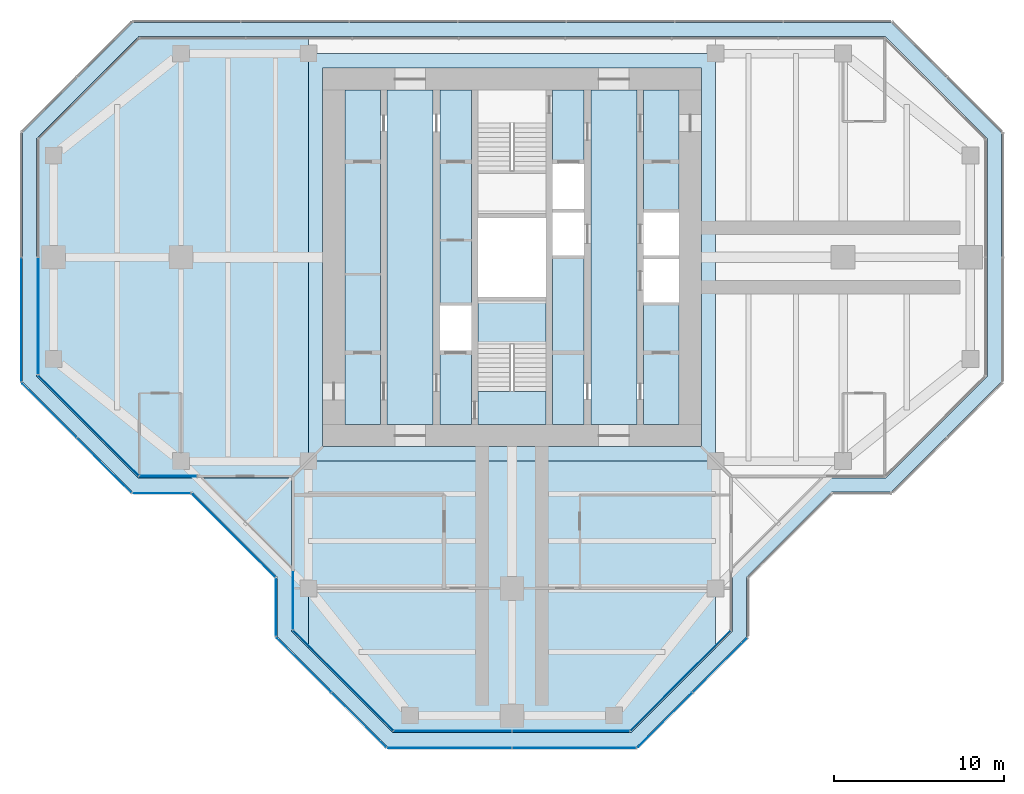
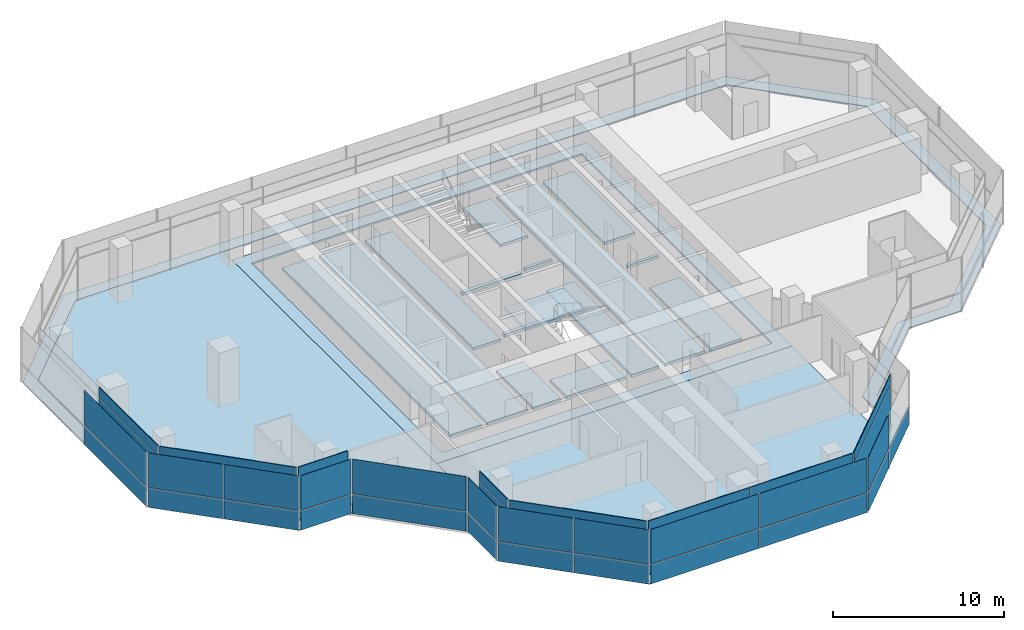
# One storey, part 9 of 15: 40 plates, 7 slabs, 16 elements without a shape of their own.
"""IFC4 building model written with IfcOpenShell, lengths in metres."""

from ifc_helpers import new_model, si_unit, direction, frame, origin, origin_2d, place, context, subcontext, project, spatial, polyline, rectangle, outline, extrude, material, layer, layer_set, type_object, element, aggregate, save


model = new_model("IFC4")

# Units and contexts
model_context = context("Model", 3, precision=1e-05, world=origin(), true_north=direction((0.0, 1.0)))
body_context = subcontext(model_context, "Body", "Model", "MODEL_VIEW")
ifc_project = project(units=[si_unit("LENGTHUNIT", "METRE"), si_unit("AREAUNIT", "SQUARE_METRE"), si_unit("VOLUMEUNIT", "CUBIC_METRE"), si_unit("PLANEANGLEUNIT", "RADIAN"), si_unit("MASSUNIT", "GRAM", prefix="KILO")], contexts=[model_context])

# Site, building, storey
site_placement = place(None, origin())
site = spatial("IfcSite", under=ifc_project, at=site_placement, CompositionType="ELEMENT")
building_placement = place(site_placement, origin())
building = spatial("IfcBuilding", under=site, at=building_placement, Name="Mizan Broadcast Tower", CompositionType="ELEMENT")
storey_placement = place(building_placement, frame((0.0, 0.0, 286.800048828125)))
storey = spatial("IfcBuildingStorey", under=building, at=storey_placement, Name="L68", CompositionType="ELEMENT", Elevation=286.800048828125)

# Plate
ifc_material_1 = material(Name="Aluminium grating", Category="aluminium")
ifc_layer_1 = layer(ifc_material_1, 0.050048828125)
ifc_layer_set_1 = layer_set([ifc_layer_1], Name="Aluminium grating")
plate_type_1 = type_object("IfcPlateType", Name="CAVITY GRATING", PredefinedType="USERDEFINED", material=ifc_layer_set_1)
plate_1_placement = place(storey_placement, frame((0.0, 0.0, -0.050048828125)))
element("IfcPlate", 1, at=plate_1_placement, inside=storey, type_object=plate_type_1, Name="Cavity grating L68", ObjectType="GRATING", PredefinedType="USERDEFINED", context=body_context, shape_type="SweptSolid", body=[
    extrude(outline(polyline([(-22.339599609375, 13.820068359375), (-28.820068359375, 7.339599609375), (-28.820068359375, -7.339599609375), (-22.339599609375, -13.820068359375), (-18.839599609375, -13.820068359375), (-13.820068359375, -18.839599609375), (-13.820068359375, -22.339599609375), (-7.339599609375, -28.820068359375), (7.339599609375, -28.820068359375), (13.820068359375, -22.339599609375), (13.820068359375, -18.839599609375), (18.839599609375, -13.820068359375), (22.339599609375, -13.820068359375), (28.820068359375, -7.339599609375), (28.820068359375, 7.339599609375), (22.339599609375, 13.820068359375), (-22.339599609375, 13.820068359375)]), holes=[polyline([(-18.5, -13.0), (-22.0, -13.0), (-28.0, -7.0), (-28.0, 7.0), (-22.0, 13.0), (22.0, 13.0), (28.0, 7.0), (28.0, -7.0), (22.0, -13.0), (18.5, -13.0), (13.0, -18.5), (13.0, -22.0), (7.0, -28.0), (-7.0, -28.0), (-13.0, -22.0), (-13.0, -18.5), (-18.5, -13.0)])]), origin(), (0.0, 0.0, 1.0), 0.050048828125),
])

# Slabs
ifc_material_2 = material(Name="Concrete C32/40", Category="concrete")
ifc_layer_2 = layer(ifc_material_2, 0.1298828125)
ifc_layer_set_2 = layer_set([ifc_layer_2], Name="Concrete C32/40")
slab_type_1 = type_object("IfcSlabType", Name="COMPOSITE DECK SLAB 130", PredefinedType="FLOOR", material=ifc_layer_set_2)
slab_1_placement = place(storey_placement, frame((0.0, 0.0, -0.130126953125)))
element("IfcSlab", 2, at=slab_1_placement, inside=storey, type_object=slab_type_1, Name="Floor slab L68 centre", PredefinedType="FLOOR", context=body_context, shape_type="SweptSolid", body=[
    extrude(outline(polyline([(-12.0, -12.0), (12.0, -12.0), (12.0, 12.0), (-12.0, 12.0), (-12.0, -12.0)]), holes=[polyline([(-11.14990234375, 11.14990234375), (11.14990234375, 11.14990234375), (11.14990234375, -11.14990234375), (-11.14990234375, -11.14990234375), (-11.14990234375, 11.14990234375)])]), origin(), (0.0, 0.0, 1.0), 0.130126953125),
])
slab_2_placement = place(storey_placement, frame((0.0, 0.0, -0.130126953125)))
element("IfcSlab", 3, at=slab_2_placement, inside=storey, type_object=slab_type_1, Name="Floor slab L68 west arm", PredefinedType="FLOOR", context=body_context, shape_type="SweptSolid", body=[
    extrude(outline(polyline([(-13.0, -22.0), (-12.0, -23.0), (-12.0, 13.0), (-13.0, 13.0), (-22.0, 13.0), (-28.0, 7.0), (-28.0, -7.0), (-22.0, -13.0), (-13.0, -13.0), (-13.0, -22.0)])), origin(), (0.0, 0.0, 1.0), 0.130126953125),
])
slab_3_placement = place(storey_placement, frame((0.0, 0.0, -0.130126953125)))
element("IfcSlab", 4, at=slab_3_placement, inside=storey, type_object=slab_type_1, Name="Floor slab L68 south arm", PredefinedType="FLOOR", context=body_context, shape_type="SweptSolid", body=[
    extrude(outline(polyline([(7.0, -28.0), (12.0, -23.0), (12.0, -12.0), (-12.0, -12.0), (-12.0, -23.0), (-7.0, -28.0), (7.0, -28.0)])), origin(), (0.0, 0.0, 1.0), 0.130126953125),
])
ifc_material_3 = material(Name="Concrete C40/50", Category="concrete")
ifc_layer_3 = layer(ifc_material_3, 0.199951171875)
ifc_layer_set_3 = layer_set([ifc_layer_3], Name="Concrete C40/50")
slab_type_2 = type_object("IfcSlabType", Name="CORE FLOOR 200", PredefinedType="FLOOR", material=ifc_layer_set_3)
slab_4_placement = place(storey_placement, frame((0.0, 0.0, -0.199951171875)))
element("IfcSlab", 5, at=slab_4_placement, inside=storey, type_object=slab_type_2, Name="Core floor L68", PredefinedType="FLOOR", context=body_context, shape_type="SweptSolid", body=[
    extrude(outline(polyline([(-9.85009765625, -9.85009765625), (-7.75, -9.85009765625), (-7.75, 9.85009765625), (-9.85009765625, 9.85009765625), (-9.85009765625, -9.85009765625)])), origin(), (0.0, 0.0, 1.0), 0.199951171875),
    extrude(outline(polyline([(-4.64990234375, 9.85009765625), (-7.35009765625, 9.85009765625), (-7.35009765625, -9.85009765625), (-4.64990234375, -9.85009765625), (-4.64990234375, 9.85009765625)])), origin(), (0.0, 0.0, 1.0), 0.199951171875),
    extrude(outline(polyline([(-4.25, -5.5), (-4.25, -9.85009765625), (-2.39990234375, -9.85009765625), (-2.39990234375, -5.5), (-4.25, -5.5)])), origin(), (0.0, 0.0, 1.0), 0.199951171875),
    extrude(outline(polyline([(-4.25, -2.85009765625), (-2.39990234375, -2.85009765625), (-2.39990234375, 9.85009765625), (-4.25, 9.85009765625), (-4.25, -2.85009765625)])), origin(), (0.0, 0.0, 1.0), 0.199951171875),
    extrude(outline(polyline([(2.0, -2.324951171875), (-2.0, -2.324951171875), (-2.0, -2.574951171875), (2.0, -2.574951171875), (2.0, -2.324951171875)])), origin(), (0.0, 0.0, 1.0), 0.199951171875),
    extrude(outline(polyline([(2.0, 2.574951171875), (-2.0, 2.574951171875), (-2.0, 2.324951171875), (2.0, 2.324951171875), (2.0, 2.574951171875)])), origin(), (0.0, 0.0, 1.0), 0.199951171875),
    extrude(outline(polyline([(4.25, -9.85009765625), (4.25, 0.10009765625), (2.39990234375, 0.10009765625), (2.39990234375, -9.85009765625), (4.25, -9.85009765625)])), origin(), (0.0, 0.0, 1.0), 0.199951171875),
    extrude(outline(polyline([(4.25, 2.64990234375), (4.25, 2.85009765625), (2.39990234375, 2.85009765625), (2.39990234375, 2.64990234375), (4.25, 2.64990234375)])), origin(), (0.0, 0.0, 1.0), 0.199951171875),
    extrude(outline(polyline([(4.25, 5.5), (4.25, 9.85009765625), (2.39990234375, 9.85009765625), (2.39990234375, 5.5), (4.25, 5.5)])), origin(), (0.0, 0.0, 1.0), 0.199951171875),
    extrude(outline(polyline([(4.64990234375, 9.85009765625), (4.64990234375, -9.85009765625), (7.35009765625, -9.85009765625), (7.35009765625, 9.85009765625), (4.64990234375, 9.85009765625)])), origin(), (0.0, 0.0, 1.0), 0.199951171875),
    extrude(outline(polyline([(9.85009765625, -9.85009765625), (9.85009765625, -2.64990234375), (7.75, -2.64990234375), (7.75, -9.85009765625), (9.85009765625, -9.85009765625)])), origin(), (0.0, 0.0, 1.0), 0.199951171875),
    extrude(outline(polyline([(9.85009765625, -0.10009765625), (9.85009765625, 0.10009765625), (7.75, 0.10009765625), (7.75, -0.10009765625), (9.85009765625, -0.10009765625)])), origin(), (0.0, 0.0, 1.0), 0.199951171875),
    extrude(outline(polyline([(7.75, 9.85009765625), (7.75, 2.64990234375), (9.85009765625, 2.64990234375), (9.85009765625, 9.85009765625), (7.75, 9.85009765625)])), origin(), (0.0, 0.0, 1.0), 0.199951171875),
])

# Curtain wall, plate
ifc_material_4 = material(Name="Aluminium framed glazing", Category="aluminium")
curtain_wall_type_1 = type_object("IfcCurtainWallType", Name="INNER SKIN TOP ZONE", PredefinedType="USERDEFINED", material=ifc_material_4)
curtain_wall_1_placement = place(storey_placement, origin())
curtain_wall_1 = element("IfcCurtainWall", 6, at=curtain_wall_1_placement, inside=storey, type_object=curtain_wall_type_1, Name="Inner skin top zone L68 W end", ObjectType="INNER SKIN TOP ZONE", PredefinedType="USERDEFINED")
ifc_material_5 = material(Name="Double glazing, clear low-e", Category="glass")
ifc_layer_4 = layer(ifc_material_5, 0.028076171875)
ifc_layer_set_4 = layer_set([ifc_layer_4], Name="Double glazing, clear low-e")
plate_type_2 = type_object("IfcPlateType", Name="INNER SKIN GLAZING UNIT", PredefinedType="CURTAIN_PANEL", material=ifc_layer_set_4)
plate_2_placement = place(storey_placement, frame((-27.89990234375, -3.46435546875, 0.0), z_axis=(0.0, 0.0, 1.0), x_axis=(0.0, -1.0, 0.0)))
plate_2 = element("IfcPlate", 7, at=plate_2_placement, type_object=plate_type_2, Name="Inner skin top zone L68 W end panel 2.1", PredefinedType="CURTAIN_PANEL", context=body_context, shape_type="SweptSolid", body=[
    extrude(rectangle(XDim=6.86865234375, YDim=0.028076171875, at=origin_2d()), origin(), (0.0, 0.0, 1.0), 3.0),
])

curtain_wall_2_placement = place(storey_placement, origin())
curtain_wall_2 = element("IfcCurtainWall", 8, at=curtain_wall_2_placement, inside=storey, type_object=curtain_wall_type_1, Name="Inner skin top zone L68 W chamfer", ObjectType="INNER SKIN TOP ZONE", PredefinedType="USERDEFINED")
plate_3_placement = place(storey_placement, frame((-24.92919921875, -9.92919921875, 0.0), z_axis=(0.0, 0.0, 1.0), x_axis=(0.707106781187, -0.707106781187, 0.0)))
plate_3 = element("IfcPlate", 9, at=plate_3_placement, type_object=plate_type_2, Name="Inner skin top zone L68 W chamfer panel 1.1", PredefinedType="CURTAIN_PANEL", context=body_context, shape_type="SweptSolid", body=[
    extrude(rectangle(XDim=8.282470703125, YDim=0.028076171875, at=origin_2d()), origin(), (0.0, 0.0, 1.0), 3.0),
])

curtain_wall_3_placement = place(storey_placement, origin())
curtain_wall_3 = element("IfcCurtainWall", 10, at=curtain_wall_3_placement, inside=storey, type_object=curtain_wall_type_1, Name="Inner skin top zone L68 W side", ObjectType="INNER SKIN TOP ZONE", PredefinedType="USERDEFINED")
plate_4_placement = place(storey_placement, frame((-20.229248046875, -12.89990234375, 0.0), z_axis=(0.0, 0.0, 1.0), x_axis=(1.0, 0.0, 0.0)))
plate_4 = element("IfcPlate", 11, at=plate_4_placement, type_object=plate_type_2, Name="Inner skin top zone L68 W side panel 1.1", PredefinedType="CURTAIN_PANEL", context=body_context, shape_type="SweptSolid", body=[
    extrude(rectangle(XDim=3.338623046875, YDim=0.028076171875, at=origin_2d()), origin(), (0.0, 0.0, 1.0), 3.0),
])

curtain_wall_4_placement = place(storey_placement, origin())
curtain_wall_4 = element("IfcCurtainWall", 12, at=curtain_wall_4_placement, inside=storey, type_object=curtain_wall_type_1, Name="Inner skin top zone L68 S side", ObjectType="INNER SKIN TOP ZONE", PredefinedType="USERDEFINED")
plate_5_placement = place(storey_placement, frame((-12.89990234375, -20.229248046875, 0.0), z_axis=(0.0, 0.0, 1.0), x_axis=(0.0, -1.0, 0.0)))
plate_5 = element("IfcPlate", 13, at=plate_5_placement, type_object=plate_type_2, Name="Inner skin top zone L68 S side panel 1.1", PredefinedType="CURTAIN_PANEL", context=body_context, shape_type="SweptSolid", body=[
    extrude(rectangle(XDim=3.338623046875, YDim=0.028076171875, at=origin_2d()), origin(), (0.0, 0.0, 1.0), 3.0),
])

curtain_wall_5_placement = place(storey_placement, origin())
curtain_wall_5 = element("IfcCurtainWall", 14, at=curtain_wall_5_placement, inside=storey, type_object=curtain_wall_type_1, Name="Inner skin top zone L68 S chamfer", ObjectType="INNER SKIN TOP ZONE", PredefinedType="USERDEFINED")
plate_6_placement = place(storey_placement, frame((-9.92919921875, -24.92919921875, 0.0), z_axis=(0.0, 0.0, 1.0), x_axis=(0.707106781187, -0.707106781187, 0.0)))
plate_6 = element("IfcPlate", 15, at=plate_6_placement, type_object=plate_type_2, Name="Inner skin top zone L68 S chamfer panel 1.1", PredefinedType="CURTAIN_PANEL", context=body_context, shape_type="SweptSolid", body=[
    extrude(rectangle(XDim=8.282470703125, YDim=0.028076171875, at=origin_2d()), origin(), (0.0, 0.0, 1.0), 3.0),
])

# Curtain wall, plates
curtain_wall_6_placement = place(storey_placement, origin())
curtain_wall_6 = element("IfcCurtainWall", 16, at=curtain_wall_6_placement, inside=storey, type_object=curtain_wall_type_1, Name="Inner skin top zone L68 S end", ObjectType="INNER SKIN TOP ZONE", PredefinedType="USERDEFINED")
plate_7_placement = place(storey_placement, frame((-3.46435546875, -27.89990234375, 0.0), z_axis=(0.0, 0.0, 1.0), x_axis=(1.0, 0.0, 0.0)))
plate_7 = element("IfcPlate", 17, at=plate_7_placement, type_object=plate_type_2, Name="Inner skin top zone L68 S end panel 1.1", PredefinedType="CURTAIN_PANEL", context=body_context, shape_type="SweptSolid", body=[
    extrude(rectangle(XDim=6.86865234375, YDim=0.028076171875, at=origin_2d()), origin(), (0.0, 0.0, 1.0), 3.0),
])
plate_8_placement = place(storey_placement, frame((3.46435546875, -27.89990234375, 0.0), z_axis=(0.0, 0.0, 1.0), x_axis=(1.0, 0.0, 0.0)))
plate_8 = element("IfcPlate", 18, at=plate_8_placement, type_object=plate_type_2, Name="Inner skin top zone L68 S end panel 2.1", PredefinedType="CURTAIN_PANEL", context=body_context, shape_type="SweptSolid", body=[
    extrude(rectangle(XDim=6.86865234375, YDim=0.028076171875, at=origin_2d()), origin(), (0.0, 0.0, 1.0), 3.0),
])

# Curtain wall, plate
curtain_wall_7_placement = place(storey_placement, origin())
curtain_wall_7 = element("IfcCurtainWall", 19, at=curtain_wall_7_placement, inside=storey, type_object=curtain_wall_type_1, Name="Inner skin top zone L68 S chamfer", ObjectType="INNER SKIN TOP ZONE", PredefinedType="USERDEFINED")
plate_9_placement = place(storey_placement, frame((9.92919921875, -24.92919921875, 0.0), z_axis=(0.0, 0.0, 1.0), x_axis=(0.707106781187, 0.707106781187, 0.0)))
plate_9 = element("IfcPlate", 20, at=plate_9_placement, type_object=plate_type_2, Name="Inner skin top zone L68 S chamfer panel 1.1", PredefinedType="CURTAIN_PANEL", context=body_context, shape_type="SweptSolid", body=[
    extrude(rectangle(XDim=8.282470703125, YDim=0.028076171875, at=origin_2d()), origin(), (0.0, 0.0, 1.0), 3.0),
])

# Plate
ifc_material_6 = material(Name="Insulated aluminium spandrel panel, pale anodised", Category="aluminium")
ifc_layer_5 = layer(ifc_material_6, 0.050048828125)
ifc_layer_set_5 = layer_set([ifc_layer_5], Name="Insulated aluminium spandrel panel, pale anodised")
plate_type_3 = type_object("IfcPlateType", Name="INNER SKIN SPANDREL PANEL", PredefinedType="CURTAIN_PANEL", material=ifc_layer_set_5)
plate_10_placement = place(storey_placement, frame((-27.89990234375, -3.46435546875, 3.06005859375), z_axis=(0.0, 0.0, 1.0), x_axis=(0.0, -1.0, 0.0)))
plate_10 = element("IfcPlate", 21, at=plate_10_placement, type_object=plate_type_3, Name="Inner skin top zone L68 W end panel 2.2", PredefinedType="CURTAIN_PANEL", context=body_context, shape_type="SweptSolid", body=[
    extrude(rectangle(XDim=6.86865234375, YDim=0.050048828125, at=origin_2d()), origin(), (0.0, 0.0, 1.0), 0.7099609375),
])

aggregate(curtain_wall_1, [plate_2, plate_10])

plate_11_placement = place(storey_placement, frame((-24.92919921875, -9.92919921875, 3.06005859375), z_axis=(0.0, 0.0, 1.0), x_axis=(0.707106781187, -0.707106781187, 0.0)))
plate_11 = element("IfcPlate", 22, at=plate_11_placement, type_object=plate_type_3, Name="Inner skin top zone L68 W chamfer panel 1.2", PredefinedType="CURTAIN_PANEL", context=body_context, shape_type="SweptSolid", body=[
    extrude(rectangle(XDim=8.282470703125, YDim=0.050048828125, at=origin_2d()), origin(), (0.0, 0.0, 1.0), 0.7099609375),
])

aggregate(curtain_wall_2, [plate_3, plate_11])

plate_12_placement = place(storey_placement, frame((-20.229248046875, -12.89990234375, 3.06005859375), z_axis=(0.0, 0.0, 1.0), x_axis=(1.0, 0.0, 0.0)))
plate_12 = element("IfcPlate", 23, at=plate_12_placement, type_object=plate_type_3, Name="Inner skin top zone L68 W side panel 1.2", PredefinedType="CURTAIN_PANEL", context=body_context, shape_type="SweptSolid", body=[
    extrude(rectangle(XDim=3.338623046875, YDim=0.050048828125, at=origin_2d()), origin(), (0.0, 0.0, 1.0), 0.7099609375),
])

aggregate(curtain_wall_3, [plate_4, plate_12])

plate_13_placement = place(storey_placement, frame((-12.89990234375, -20.229248046875, 3.06005859375), z_axis=(0.0, 0.0, 1.0), x_axis=(0.0, -1.0, 0.0)))
plate_13 = element("IfcPlate", 24, at=plate_13_placement, type_object=plate_type_3, Name="Inner skin top zone L68 S side panel 1.2", PredefinedType="CURTAIN_PANEL", context=body_context, shape_type="SweptSolid", body=[
    extrude(rectangle(XDim=3.338623046875, YDim=0.050048828125, at=origin_2d()), origin(), (0.0, 0.0, 1.0), 0.7099609375),
])

aggregate(curtain_wall_4, [plate_5, plate_13])

plate_14_placement = place(storey_placement, frame((-9.92919921875, -24.92919921875, 3.06005859375), z_axis=(0.0, 0.0, 1.0), x_axis=(0.707106781187, -0.707106781187, 0.0)))
plate_14 = element("IfcPlate", 25, at=plate_14_placement, type_object=plate_type_3, Name="Inner skin top zone L68 S chamfer panel 1.2", PredefinedType="CURTAIN_PANEL", context=body_context, shape_type="SweptSolid", body=[
    extrude(rectangle(XDim=8.282470703125, YDim=0.050048828125, at=origin_2d()), origin(), (0.0, 0.0, 1.0), 0.7099609375),
])

aggregate(curtain_wall_5, [plate_6, plate_14])

plate_15_placement = place(storey_placement, frame((-3.46435546875, -27.89990234375, 3.06005859375), z_axis=(0.0, 0.0, 1.0), x_axis=(1.0, 0.0, 0.0)))
plate_15 = element("IfcPlate", 26, at=plate_15_placement, type_object=plate_type_3, Name="Inner skin top zone L68 S end panel 1.2", PredefinedType="CURTAIN_PANEL", context=body_context, shape_type="SweptSolid", body=[
    extrude(rectangle(XDim=6.86865234375, YDim=0.050048828125, at=origin_2d()), origin(), (0.0, 0.0, 1.0), 0.7099609375),
])

plate_16_placement = place(storey_placement, frame((3.46435546875, -27.89990234375, 3.06005859375), z_axis=(0.0, 0.0, 1.0), x_axis=(1.0, 0.0, 0.0)))
plate_16 = element("IfcPlate", 27, at=plate_16_placement, type_object=plate_type_3, Name="Inner skin top zone L68 S end panel 2.2", PredefinedType="CURTAIN_PANEL", context=body_context, shape_type="SweptSolid", body=[
    extrude(rectangle(XDim=6.86865234375, YDim=0.050048828125, at=origin_2d()), origin(), (0.0, 0.0, 1.0), 0.7099609375),
])

aggregate(curtain_wall_6, [plate_7, plate_15, plate_8, plate_16])

plate_17_placement = place(storey_placement, frame((9.92919921875, -24.92919921875, 3.06005859375), z_axis=(0.0, 0.0, 1.0), x_axis=(0.707106781187, 0.707106781187, 0.0)))
plate_17 = element("IfcPlate", 28, at=plate_17_placement, type_object=plate_type_3, Name="Inner skin top zone L68 S chamfer panel 1.2", PredefinedType="CURTAIN_PANEL", context=body_context, shape_type="SweptSolid", body=[
    extrude(rectangle(XDim=8.282470703125, YDim=0.050048828125, at=origin_2d()), origin(), (0.0, 0.0, 1.0), 0.7099609375),
])

aggregate(curtain_wall_7, [plate_9, plate_17])

# Curtain wall, plates
ifc_material_7 = material(Name="Aluminium framed glazing", Category="aluminium")
curtain_wall_type_2 = type_object("IfcCurtainWallType", Name="OUTER SKIN", PredefinedType="USERDEFINED", material=ifc_material_7)
curtain_wall_8_placement = place(storey_placement, origin())
curtain_wall_8 = element("IfcCurtainWall", 29, at=curtain_wall_8_placement, inside=storey, type_object=curtain_wall_type_2, Name="Outer skin L68 W chamfer", ObjectType="OUTER SKIN", PredefinedType="USERDEFINED")
ifc_material_8 = material(Name="Laminated clear glass", Category="glass")
ifc_layer_6 = layer(ifc_material_8, 0.02001953125)
ifc_layer_set_6 = layer_set([ifc_layer_6], Name="Laminated clear glass")
plate_type_4 = type_object("IfcPlateType", Name="OUTER SKIN CLEAR GLASS", PredefinedType="CURTAIN_PANEL", material=ifc_layer_set_6)
plate_18_placement = place(storey_placement, frame((-27.254150390625, -9.018798828125, 0.0), z_axis=(0.0, 0.0, 1.0), x_axis=(0.707106781187, -0.707106781187, 0.0)))
plate_18 = element("IfcPlate", 30, at=plate_18_placement, type_object=plate_type_4, Name="Outer skin L68 W chamfer panel 1.1", PredefinedType="CURTAIN_PANEL", context=body_context, shape_type="SweptSolid", body=[
    extrude(rectangle(XDim=4.495361328125, YDim=0.02001953125, at=origin_2d()), origin(), (0.0, 0.0, 1.0), 1.3701171875),
])
plate_19_placement = place(storey_placement, frame((-27.254150390625, -9.018798828125, 1.43017578125), z_axis=(0.0, 0.0, 1.0), x_axis=(0.707106781187, -0.707106781187, 0.0)))
plate_19 = element("IfcPlate", 31, at=plate_19_placement, type_object=plate_type_4, Name="Outer skin L68 W chamfer panel 1.2", PredefinedType="CURTAIN_PANEL", context=body_context, shape_type="SweptSolid", body=[
    extrude(rectangle(XDim=4.495361328125, YDim=0.02001953125, at=origin_2d()), origin(), (0.0, 0.0, 1.0), 2.469970703125),
])

curtain_wall_9_placement = place(storey_placement, origin())
curtain_wall_9 = element("IfcCurtainWall", 32, at=curtain_wall_9_placement, inside=storey, type_object=curtain_wall_type_2, Name="Outer skin L68 W side", ObjectType="OUTER SKIN", PredefinedType="USERDEFINED")
plate_20_placement = place(storey_placement, frame((-20.622802734375, -13.89990234375, 0.0), z_axis=(0.0, 0.0, 1.0), x_axis=(1.0, 0.0, 0.0)))
plate_20 = element("IfcPlate", 33, at=plate_20_placement, type_object=plate_type_4, Name="Outer skin L68 W side panel 1.1", PredefinedType="CURTAIN_PANEL", context=body_context, shape_type="SweptSolid", body=[
    extrude(rectangle(XDim=3.340087890625, YDim=0.02001953125, at=origin_2d()), origin(), (0.0, 0.0, 1.0), 1.3701171875),
])
plate_21_placement = place(storey_placement, frame((-20.622802734375, -13.89990234375, 1.43017578125), z_axis=(0.0, 0.0, 1.0), x_axis=(1.0, 0.0, 0.0)))
plate_21 = element("IfcPlate", 34, at=plate_21_placement, type_object=plate_type_4, Name="Outer skin L68 W side panel 1.2", PredefinedType="CURTAIN_PANEL", context=body_context, shape_type="SweptSolid", body=[
    extrude(rectangle(XDim=3.340087890625, YDim=0.02001953125, at=origin_2d()), origin(), (0.0, 0.0, 1.0), 2.469970703125),
])
aggregate(curtain_wall_9, [plate_20, plate_21])

curtain_wall_10_placement = place(storey_placement, origin())
curtain_wall_10 = element("IfcCurtainWall", 35, at=curtain_wall_10_placement, inside=storey, type_object=curtain_wall_type_2, Name="Outer skin L68 W chamfer", ObjectType="OUTER SKIN", PredefinedType="USERDEFINED")
plate_22_placement = place(storey_placement, frame((-16.386474609375, -16.386474609375, 0.0), z_axis=(0.0, 0.0, 1.0), x_axis=(0.707106781187, -0.707106781187, 0.0)))
plate_22 = element("IfcPlate", 36, at=plate_22_placement, type_object=plate_type_4, Name="Outer skin L68 W chamfer panel 1.1", PredefinedType="CURTAIN_PANEL", context=body_context, shape_type="SweptSolid", body=[
    extrude(rectangle(XDim=6.87255859375, YDim=0.02001953125, at=origin_2d()), origin(), (0.0, 0.0, 1.0), 1.3701171875),
])
plate_23_placement = place(storey_placement, frame((-16.386474609375, -16.386474609375, 1.43017578125), z_axis=(0.0, 0.0, 1.0), x_axis=(0.707106781187, -0.707106781187, 0.0)))
plate_23 = element("IfcPlate", 37, at=plate_23_placement, type_object=plate_type_4, Name="Outer skin L68 W chamfer panel 1.2", PredefinedType="CURTAIN_PANEL", context=body_context, shape_type="SweptSolid", body=[
    extrude(rectangle(XDim=6.87255859375, YDim=0.02001953125, at=origin_2d()), origin(), (0.0, 0.0, 1.0), 2.469970703125),
])
aggregate(curtain_wall_10, [plate_22, plate_23])

curtain_wall_11_placement = place(storey_placement, origin())
curtain_wall_11 = element("IfcCurtainWall", 38, at=curtain_wall_11_placement, inside=storey, type_object=curtain_wall_type_2, Name="Outer skin L68 S side", ObjectType="OUTER SKIN", PredefinedType="USERDEFINED")
plate_24_placement = place(storey_placement, frame((-13.89990234375, -20.622802734375, 0.0), z_axis=(0.0, 0.0, 1.0), x_axis=(0.0, -1.0, 0.0)))
plate_24 = element("IfcPlate", 39, at=plate_24_placement, type_object=plate_type_4, Name="Outer skin L68 S side panel 1.1", PredefinedType="CURTAIN_PANEL", context=body_context, shape_type="SweptSolid", body=[
    extrude(rectangle(XDim=3.340087890625, YDim=0.02001953125, at=origin_2d()), origin(), (0.0, 0.0, 1.0), 1.3701171875),
])
plate_25_placement = place(storey_placement, frame((-13.89990234375, -20.622802734375, 1.43017578125), z_axis=(0.0, 0.0, 1.0), x_axis=(0.0, -1.0, 0.0)))
plate_25 = element("IfcPlate", 40, at=plate_25_placement, type_object=plate_type_4, Name="Outer skin L68 S side panel 1.2", PredefinedType="CURTAIN_PANEL", context=body_context, shape_type="SweptSolid", body=[
    extrude(rectangle(XDim=3.340087890625, YDim=0.02001953125, at=origin_2d()), origin(), (0.0, 0.0, 1.0), 2.469970703125),
])
aggregate(curtain_wall_11, [plate_24, plate_25])

curtain_wall_12_placement = place(storey_placement, origin())
curtain_wall_12 = element("IfcCurtainWall", 41, at=curtain_wall_12_placement, inside=storey, type_object=curtain_wall_type_2, Name="Outer skin L68 S chamfer", ObjectType="OUTER SKIN", PredefinedType="USERDEFINED")
plate_26_placement = place(storey_placement, frame((-12.254150390625, -24.018798828125, 0.0), z_axis=(0.0, 0.0, 1.0), x_axis=(0.707106781187, -0.707106781187, 0.0)))
plate_26 = element("IfcPlate", 42, at=plate_26_placement, type_object=plate_type_4, Name="Outer skin L68 S chamfer panel 1.1", PredefinedType="CURTAIN_PANEL", context=body_context, shape_type="SweptSolid", body=[
    extrude(rectangle(XDim=4.495361328125, YDim=0.02001953125, at=origin_2d()), origin(), (0.0, 0.0, 1.0), 1.3701171875),
])
plate_27_placement = place(storey_placement, frame((-12.254150390625, -24.018798828125, 1.43017578125), z_axis=(0.0, 0.0, 1.0), x_axis=(0.707106781187, -0.707106781187, 0.0)))
plate_27 = element("IfcPlate", 43, at=plate_27_placement, type_object=plate_type_4, Name="Outer skin L68 S chamfer panel 1.2", PredefinedType="CURTAIN_PANEL", context=body_context, shape_type="SweptSolid", body=[
    extrude(rectangle(XDim=4.495361328125, YDim=0.02001953125, at=origin_2d()), origin(), (0.0, 0.0, 1.0), 2.469970703125),
])

curtain_wall_13_placement = place(storey_placement, origin())
curtain_wall_13 = element("IfcCurtainWall", 44, at=curtain_wall_13_placement, inside=storey, type_object=curtain_wall_type_2, Name="Outer skin L68 S end", ObjectType="OUTER SKIN", PredefinedType="USERDEFINED")
plate_28_placement = place(storey_placement, frame((-3.66650390625, -28.89990234375, 0.0), z_axis=(0.0, 0.0, 1.0), x_axis=(1.0, 0.0, 0.0)))
plate_28 = element("IfcPlate", 45, at=plate_28_placement, type_object=plate_type_4, Name="Outer skin L68 S end panel 1.1", PredefinedType="CURTAIN_PANEL", context=body_context, shape_type="SweptSolid", body=[
    extrude(rectangle(XDim=7.252685546875, YDim=0.02001953125, at=origin_2d()), origin(), (0.0, 0.0, 1.0), 1.3701171875),
])
plate_29_placement = place(storey_placement, frame((-3.66650390625, -28.89990234375, 1.43017578125), z_axis=(0.0, 0.0, 1.0), x_axis=(1.0, 0.0, 0.0)))
plate_29 = element("IfcPlate", 46, at=plate_29_placement, type_object=plate_type_4, Name="Outer skin L68 S end panel 1.2", PredefinedType="CURTAIN_PANEL", context=body_context, shape_type="SweptSolid", body=[
    extrude(rectangle(XDim=7.252685546875, YDim=0.02001953125, at=origin_2d()), origin(), (0.0, 0.0, 1.0), 2.469970703125),
])

curtain_wall_14_placement = place(storey_placement, origin())
curtain_wall_14 = element("IfcCurtainWall", 47, at=curtain_wall_14_placement, inside=storey, type_object=curtain_wall_type_2, Name="Outer skin L68 S chamfer", ObjectType="OUTER SKIN", PredefinedType="USERDEFINED")
plate_30_placement = place(storey_placement, frame((9.018798828125, -27.254150390625, 0.0), z_axis=(0.0, 0.0, 1.0), x_axis=(0.707106781187, 0.707106781187, 0.0)))
plate_30 = element("IfcPlate", 48, at=plate_30_placement, type_object=plate_type_4, Name="Outer skin L68 S chamfer panel 1.1", PredefinedType="CURTAIN_PANEL", context=body_context, shape_type="SweptSolid", body=[
    extrude(rectangle(XDim=4.495361328125, YDim=0.02001953125, at=origin_2d()), origin(), (0.0, 0.0, 1.0), 1.3701171875),
])
plate_31_placement = place(storey_placement, frame((9.018798828125, -27.254150390625, 1.43017578125), z_axis=(0.0, 0.0, 1.0), x_axis=(0.707106781187, 0.707106781187, 0.0)))
plate_31 = element("IfcPlate", 49, at=plate_31_placement, type_object=plate_type_4, Name="Outer skin L68 S chamfer panel 1.2", PredefinedType="CURTAIN_PANEL", context=body_context, shape_type="SweptSolid", body=[
    extrude(rectangle(XDim=4.495361328125, YDim=0.02001953125, at=origin_2d()), origin(), (0.0, 0.0, 1.0), 2.469970703125),
])

# Plate
ifc_material_9 = material(Name="Perforated aluminium, pale anodised", Category="aluminium")
ifc_layer_7 = layer(ifc_material_9, 0.011962890625)
ifc_layer_set_7 = layer_set([ifc_layer_7], Name="Perforated aluminium, pale anodised")
plate_type_5 = type_object("IfcPlateType", Name="OUTER SKIN PERFORATED SCREEN", PredefinedType="USERDEFINED", material=ifc_layer_set_7)
plate_32_placement = place(storey_placement, frame((-24.018798828125, -12.254150390625, 0.0), z_axis=(0.0, 0.0, 1.0), x_axis=(0.707106781187, -0.707106781187, 0.0)))
plate_32 = element("IfcPlate", 50, at=plate_32_placement, type_object=plate_type_5, Name="Outer skin L68 W chamfer panel 2.1", ObjectType="SCREEN", PredefinedType="USERDEFINED", context=body_context, shape_type="SweptSolid", body=[
    extrude(rectangle(XDim=4.495361328125, YDim=0.011962890625, at=origin_2d()), origin(), (0.0, 0.0, 1.0), 1.3701171875),
])

plate_33_placement = place(storey_placement, frame((-24.018798828125, -12.254150390625, 1.43017578125), z_axis=(0.0, 0.0, 1.0), x_axis=(0.707106781187, -0.707106781187, 0.0)))
plate_33 = element("IfcPlate", 51, at=plate_33_placement, type_object=plate_type_5, Name="Outer skin L68 W chamfer panel 2.2", ObjectType="SCREEN", PredefinedType="USERDEFINED", context=body_context, shape_type="SweptSolid", body=[
    extrude(rectangle(XDim=4.495361328125, YDim=0.011962890625, at=origin_2d()), origin(), (0.0, 0.0, 1.0), 2.469970703125),
])

aggregate(curtain_wall_8, [plate_18, plate_19, plate_32, plate_33])

plate_34_placement = place(storey_placement, frame((-9.018798828125, -27.254150390625, 0.0), z_axis=(0.0, 0.0, 1.0), x_axis=(0.707106781187, -0.707106781187, 0.0)))
plate_34 = element("IfcPlate", 52, at=plate_34_placement, type_object=plate_type_5, Name="Outer skin L68 S chamfer panel 2.1", ObjectType="SCREEN", PredefinedType="USERDEFINED", context=body_context, shape_type="SweptSolid", body=[
    extrude(rectangle(XDim=4.495361328125, YDim=0.011962890625, at=origin_2d()), origin(), (0.0, 0.0, 1.0), 1.3701171875),
])

plate_35_placement = place(storey_placement, frame((-9.018798828125, -27.254150390625, 1.43017578125), z_axis=(0.0, 0.0, 1.0), x_axis=(0.707106781187, -0.707106781187, 0.0)))
plate_35 = element("IfcPlate", 53, at=plate_35_placement, type_object=plate_type_5, Name="Outer skin L68 S chamfer panel 2.2", ObjectType="SCREEN", PredefinedType="USERDEFINED", context=body_context, shape_type="SweptSolid", body=[
    extrude(rectangle(XDim=4.495361328125, YDim=0.011962890625, at=origin_2d()), origin(), (0.0, 0.0, 1.0), 2.469970703125),
])

aggregate(curtain_wall_12, [plate_26, plate_27, plate_34, plate_35])

plate_36_placement = place(storey_placement, frame((3.66650390625, -28.89990234375, 0.0), z_axis=(0.0, 0.0, 1.0), x_axis=(1.0, 0.0, 0.0)))
plate_36 = element("IfcPlate", 54, at=plate_36_placement, type_object=plate_type_5, Name="Outer skin L68 S end panel 2.1", ObjectType="SCREEN", PredefinedType="USERDEFINED", context=body_context, shape_type="SweptSolid", body=[
    extrude(rectangle(XDim=7.252685546875, YDim=0.011962890625, at=origin_2d()), origin(), (0.0, 0.0, 1.0), 1.3701171875),
])

plate_37_placement = place(storey_placement, frame((3.66650390625, -28.89990234375, 1.43017578125), z_axis=(0.0, 0.0, 1.0), x_axis=(1.0, 0.0, 0.0)))
plate_37 = element("IfcPlate", 55, at=plate_37_placement, type_object=plate_type_5, Name="Outer skin L68 S end panel 2.2", ObjectType="SCREEN", PredefinedType="USERDEFINED", context=body_context, shape_type="SweptSolid", body=[
    extrude(rectangle(XDim=7.252685546875, YDim=0.011962890625, at=origin_2d()), origin(), (0.0, 0.0, 1.0), 2.469970703125),
])

aggregate(curtain_wall_13, [plate_28, plate_29, plate_36, plate_37])

plate_38_placement = place(storey_placement, frame((12.254150390625, -24.018798828125, 0.0), z_axis=(0.0, 0.0, 1.0), x_axis=(0.707106781187, 0.707106781187, 0.0)))
plate_38 = element("IfcPlate", 56, at=plate_38_placement, type_object=plate_type_5, Name="Outer skin L68 S chamfer panel 2.1", ObjectType="SCREEN", PredefinedType="USERDEFINED", context=body_context, shape_type="SweptSolid", body=[
    extrude(rectangle(XDim=4.495361328125, YDim=0.011962890625, at=origin_2d()), origin(), (0.0, 0.0, 1.0), 1.3701171875),
])

aggregate(curtain_wall_14, [plate_30, plate_31, plate_38])

# Curtain wall, plates
curtain_wall_15_placement = place(storey_placement, origin())
curtain_wall_15 = element("IfcCurtainWall", 57, at=curtain_wall_15_placement, inside=storey, type_object=curtain_wall_type_2, Name="Outer skin L68 W end", ObjectType="OUTER SKIN", PredefinedType="USERDEFINED")
plate_39_placement = place(storey_placement, frame((-28.89990234375, -3.66650390625, 0.0), z_axis=(0.0, 0.0, 1.0), x_axis=(0.0, -1.0, 0.0)))
plate_39 = element("IfcPlate", 58, at=plate_39_placement, type_object=plate_type_5, Name="Outer skin L68 W end panel 2.1", ObjectType="SCREEN", PredefinedType="USERDEFINED", context=body_context, shape_type="SweptSolid", body=[
    extrude(rectangle(XDim=7.252685546875, YDim=0.011962890625, at=origin_2d()), origin(), (0.0, 0.0, 1.0), 1.3701171875),
])
plate_40_placement = place(storey_placement, frame((-28.89990234375, -3.66650390625, 1.43017578125), z_axis=(0.0, 0.0, 1.0), x_axis=(0.0, -1.0, 0.0)))
plate_40 = element("IfcPlate", 59, at=plate_40_placement, type_object=plate_type_5, Name="Outer skin L68 W end panel 2.2", ObjectType="SCREEN", PredefinedType="USERDEFINED", context=body_context, shape_type="SweptSolid", body=[
    extrude(rectangle(XDim=7.252685546875, YDim=0.011962890625, at=origin_2d()), origin(), (0.0, 0.0, 1.0), 2.469970703125),
])
aggregate(curtain_wall_15, [plate_39, plate_40])

# Stair, slabs
ifc_material_10 = material(Name="Concrete C40/50", Category="concrete")
stair_type = type_object("IfcStairType", Name="EXIT STAIR", PredefinedType="HALF_TURN_STAIR", material=ifc_material_10)
stair_placement = place(storey_placement, origin())
stair = element("IfcStair", 60, at=stair_placement, inside=storey, type_object=stair_type, Name="Stair A L68", PredefinedType="HALF_TURN_STAIR")
ifc_material_11 = material(Name="Concrete C40/50", Category="concrete")
ifc_layer_8 = layer(ifc_material_11, 0.199951171875)
ifc_layer_set_8 = layer_set([ifc_layer_8], Name="Concrete C40/50")
slab_type_3 = type_object("IfcSlabType", Name="STAIR LANDING 200", PredefinedType="LANDING", material=ifc_layer_set_8)
slab_5_placement = place(storey_placement, frame((0.0, 0.0, -0.199951171875)))
slab_5 = element("IfcSlab", 61, at=slab_5_placement, type_object=slab_type_3, Name="A landing 1", PredefinedType="LANDING", context=body_context, shape_type="SweptSolid", body=[
    extrude(outline(polyline([(-2.0, -9.85009765625), (-2.0, -7.89990234375), (2.0, -7.89990234375), (2.0, -9.85009765625), (-2.0, -9.85009765625)])), origin(), (0.0, 0.0, 1.0), 0.199951171875),
])
slab_6_placement = place(storey_placement, frame((0.0, 0.0, 1.75)))
slab_6 = element("IfcSlab", 62, at=slab_6_placement, type_object=slab_type_3, Name="A landing 2", PredefinedType="LANDING", context=body_context, shape_type="SweptSolid", body=[
    extrude(outline(polyline([(-2.0, -5.10009765625), (-2.0, -2.574951171875), (2.0, -2.574951171875), (2.0, -5.10009765625), (-2.0, -5.10009765625)])), origin(), (0.0, 0.0, 1.0), 0.199951171875),
])
aggregate(stair, [slab_5, slab_6])

# Slab
ifc_material_12 = material(Name="Concrete C32/40", Category="concrete")
ifc_layer_9 = layer(ifc_material_12, 0.1298828125)
ifc_layer_set_9 = layer_set([ifc_layer_9], Name="Concrete C32/40")
slab_type_4 = type_object("IfcSlabType", Name="WINTER GARDEN SLAB 130", PredefinedType="FLOOR", material=ifc_layer_set_9)
slab_7_placement = place(storey_placement, frame((0.0, 0.0, -0.130126953125)))
element("IfcSlab", 63, at=slab_7_placement, inside=storey, type_object=slab_type_4, Name="Winter garden slab L68 W", PredefinedType="FLOOR", context=body_context, shape_type="SweptSolid", body=[
    extrude(outline(polyline([(-13.0, -13.0), (-18.5, -13.0), (-13.0, -18.5), (-13.0, -13.0)])), origin(), (0.0, 0.0, 1.0), 0.130126953125),
])

save(model, "model.ifc")
